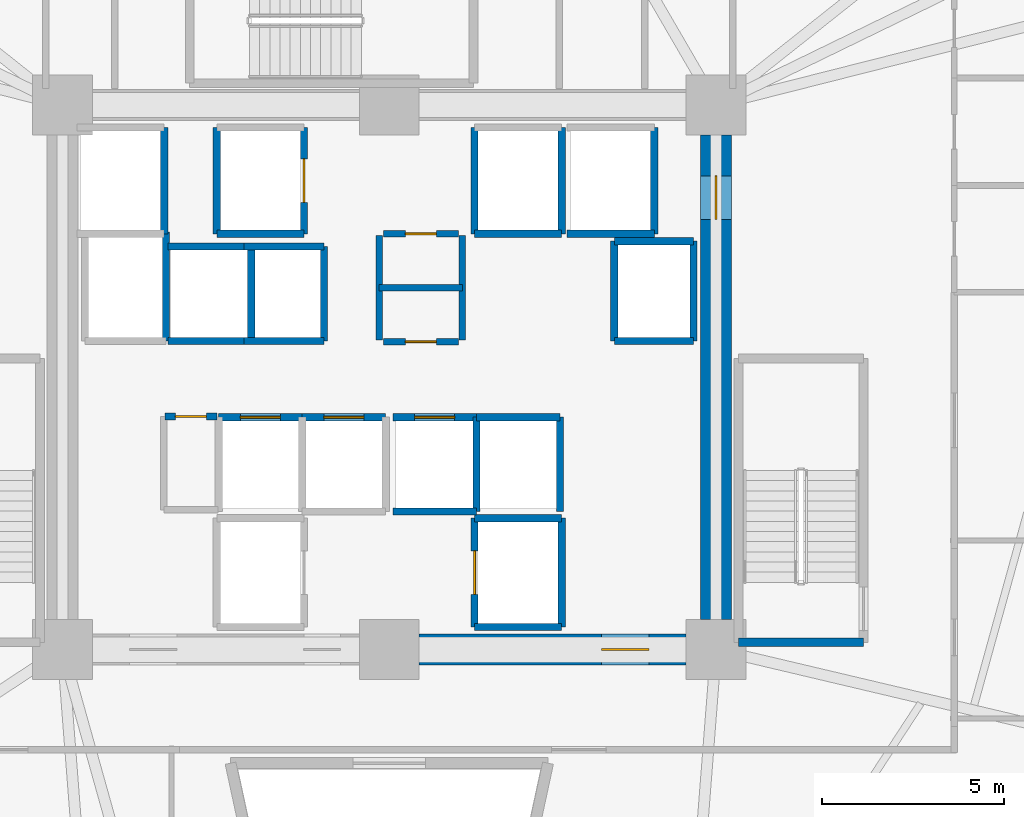
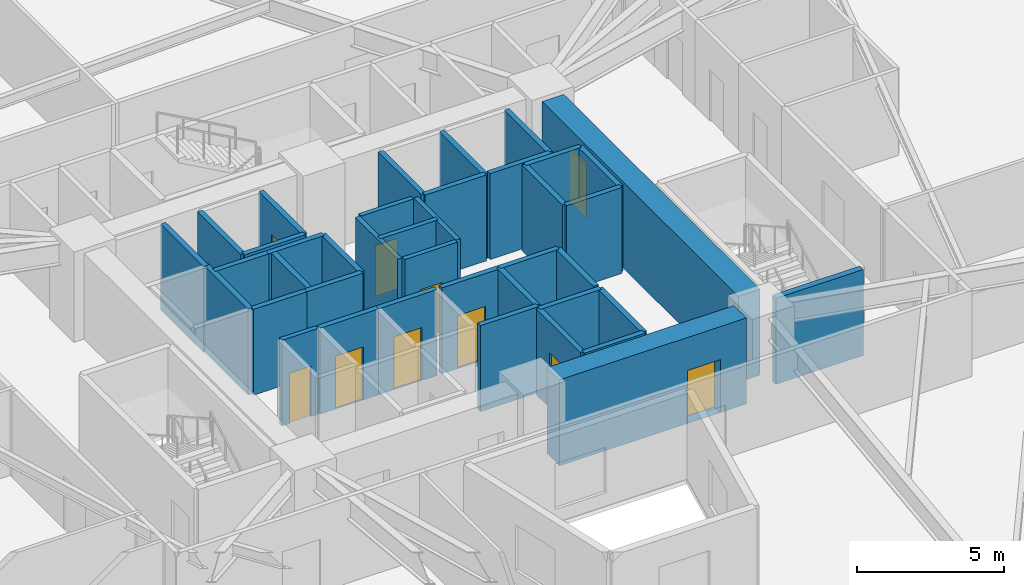
# One storey, part 5 of 8: 40 walls, 10 doors, 10 openings.
"""IFC4 building model written with IfcOpenShell, lengths in metres."""

from ifc_helpers import new_model, si_unit, direction, frame, frame_2d, origin, place, context, subcontext, project, spatial, rectangle, extrude, source, transform, mapped, material, layer, layer_set, type_object, element, fill, save


model = new_model("IFC4")

# Units and contexts
model_context = context("Model", 3, precision=1e-05, world=origin(), true_north=direction((0.0, 1.0)))
body_context = subcontext(model_context, "Body", "Model", "MODEL_VIEW")
ifc_project = project(units=[si_unit("LENGTHUNIT", "METRE"), si_unit("AREAUNIT", "SQUARE_METRE"), si_unit("VOLUMEUNIT", "CUBIC_METRE"), si_unit("PLANEANGLEUNIT", "RADIAN"), si_unit("MASSUNIT", "GRAM", prefix="KILO")], contexts=[model_context])

# Site, building, storey
site_placement = place(None, origin())
site = spatial("IfcSite", under=ifc_project, at=site_placement, CompositionType="ELEMENT")
building_placement = place(site_placement, origin())
building = spatial("IfcBuilding", under=site, at=building_placement, Name="Liaohun Quay Tower", CompositionType="ELEMENT")
storey_placement = place(building_placement, frame((0.0, 0.0, 39.75)))
storey = spatial("IfcBuildingStorey", under=building, at=storey_placement, Name="L10", CompositionType="ELEMENT", Elevation=39.75)

# Wall, opening, door
ifc_material_1 = material(Name="Concrete C60", Category="concrete")
ifc_layer_1 = layer(ifc_material_1, 0.85009765625, Name="Concrete C60", Category="concrete")
ifc_layer_set_1 = layer_set([ifc_layer_1], Name="Concrete C60")
wall_type_1 = type_object("IfcWallType", Name="WAL-COR-Z1", PredefinedType="SHEAR", material=ifc_layer_set_1)
wall_1_placement = place(storey_placement, frame((69.0, 60.675048828125, 0.0), z_axis=(0.0, 0.0, 1.0), x_axis=(0.0, -1.0, 0.0)))
wall_1 = element("IfcWall", 1, at=wall_1_placement, inside=storey, type_object=wall_type_1, Name="L10 Central Core Shear Wall E", PredefinedType="SHEAR", context=body_context, shape_type="SweptSolid", body=[
    extrude(rectangle(XDim=13.35009765625, YDim=0.85009765625, at=frame_2d((6.675048828125, 0.0))), origin(), (0.0, 0.0, 1.0), 3.570068359375),
])
shared_shape_1 = source(origin(), body_context, "Body", "SweptSolid", [
    extrude(rectangle(XDim=1.199951171875, YDim=2.199951171875, at=frame_2d((0.60009765625, 1.10009765625))), frame((0.0, 0.43505859375, 0.0), z_axis=(0.0, -1.0, 0.0), x_axis=(1.0, 0.0, 0.0)), (0.0, 0.0, 1.0), 0.8701171875),
])
opening_1_placement = place(wall_1_placement, frame((1.125, 0.0, 0.0)))
opening_1 = element("IfcOpeningElement", 2, at=opening_1_placement, cuts=wall_1, Name="Opening SD1", PredefinedType="OPENING", context=body_context, shape_type="MappedRepresentation", body=[
    mapped(shared_shape_1, transform((0.0, 0.0, 0.0), x_axis=(1.0, 0.0, 0.0), y_axis=(0.0, 1.0, 0.0), z_axis=(0.0, 0.0, 1.0), scale=1.0)),
])
ifc_material_2 = material(Name="Galvanised steel fire door", Category="steel")
door_type_1 = type_object("IfcDoorType", Name="DOR-STR-1200", OperationType="NOTDEFINED", PredefinedType="DOOR", material=ifc_material_2)
shared_shape_2 = source(origin(), body_context, "Body", "SweptSolid", [
    extrude(rectangle(XDim=1.199951171875, YDim=2.199951171875, at=frame_2d((0.60009765625, 1.10009765625))), frame((0.0, 0.02490234375, 0.0), z_axis=(0.0, -1.0, 0.0), x_axis=(1.0, 0.0, 0.0)), (0.0, 0.0, 1.0), 0.050048828125),
])
door_1_placement = place(opening_1_placement, origin())
door_1 = element("IfcDoor", 3, at=door_1_placement, inside=storey, type_object=door_type_1, Name="L10 North-East Core Lobby Smokeproof Door", OperationType="SINGLE_SWING_LEFT", OverallHeight=2.199951171875, OverallWidth=1.199951171875, PredefinedType="DOOR", context=body_context, shape_type="MappedRepresentation", body=[
    mapped(shared_shape_2, transform((0.0, 0.0, 0.0), x_axis=(1.0, 0.0, 0.0), y_axis=(0.0, 1.0, 0.0), z_axis=(0.0, 0.0, 1.0), scale=1.0)),
])
fill(opening_1, door_1)

wall_2_placement = place(storey_placement, frame((68.175048828125, 46.5, 0.0), z_axis=(0.0, 0.0, 1.0), x_axis=(-1.0, 0.0, 0.0)))
wall_2 = element("IfcWall", 4, at=wall_2_placement, inside=storey, type_object=wall_type_1, Name="L10 Central Core Shear Wall S-E", PredefinedType="SHEAR", context=body_context, shape_type="SweptSolid", body=[
    extrude(rectangle(XDim=7.35009765625, YDim=0.85009765625, at=frame_2d((3.675048828125, 0.0))), origin(), (0.0, 0.0, 1.0), 3.570068359375),
])
shared_shape_3 = source(origin(), body_context, "Body", "SweptSolid", [
    extrude(rectangle(XDim=1.300048828125, YDim=2.199951171875, at=frame_2d((0.64990234375, 1.10009765625))), frame((0.0, 0.43505859375, 0.0), z_axis=(0.0, -1.0, 0.0), x_axis=(1.0, 0.0, 0.0)), (0.0, 0.0, 1.0), 0.8701171875),
])
opening_2_placement = place(wall_2_placement, frame((1.02490234375, 0.0, 0.0)))
opening_2 = element("IfcOpeningElement", 5, at=opening_2_placement, cuts=wall_2, Name="Opening FD1", PredefinedType="OPENING", context=body_context, shape_type="MappedRepresentation", body=[
    mapped(shared_shape_3, transform((0.0, 0.0, 0.0), x_axis=(1.0, 0.0, 0.0), y_axis=(0.0, 1.0, 0.0), z_axis=(0.0, 0.0, 1.0), scale=1.0)),
])
ifc_material_3 = material(Name="Galvanised steel smokeproof fire door", Category="steel")
door_type_2 = type_object("IfcDoorType", Name="DOR-FFL-1300", OperationType="NOTDEFINED", PredefinedType="DOOR", material=ifc_material_3)
shared_shape_4 = source(origin(), body_context, "Body", "SweptSolid", [
    extrude(rectangle(XDim=1.300048828125, YDim=2.199951171875, at=frame_2d((0.64990234375, 1.10009765625))), frame((0.0, 0.02490234375, 0.0), z_axis=(0.0, -1.0, 0.0), x_axis=(1.0, 0.0, 0.0)), (0.0, 0.0, 1.0), 0.050048828125),
])
door_2_placement = place(opening_2_placement, origin())
door_2 = element("IfcDoor", 6, at=door_2_placement, inside=storey, type_object=door_type_2, Name="L10 East Core Lift Lobby Smokeproof Door", OperationType="SINGLE_SWING_LEFT", OverallHeight=2.199951171875, OverallWidth=1.300048828125, PredefinedType="DOOR", context=body_context, shape_type="MappedRepresentation", body=[
    mapped(shared_shape_4, transform((0.0, 0.0, 0.0), x_axis=(1.0, 0.0, 0.0), y_axis=(0.0, 1.0, 0.0), z_axis=(0.0, 0.0, 1.0), scale=1.0)),
])
fill(opening_2, door_2)

ifc_material_4 = material(Name="Autoclaved aerated concrete blockwork", Category="masonry")
ifc_layer_2 = layer(ifc_material_4, 0.179931640625, Name="Autoclaved aerated concrete blockwork", Category="masonry")
ifc_layer_set_2 = layer_set([ifc_layer_2], Name="Autoclaved aerated concrete blockwork")
wall_type_2 = type_object("IfcWallType", Name="WAL-PRT-COR", PredefinedType="PARTITIONING", material=ifc_layer_set_2)
wall_3_placement = place(storey_placement, frame((59.840087890625, 54.97998046875, 0.0), z_axis=(0.0, 0.0, 1.0), x_axis=(1.0, 0.0, 0.0)))
wall_3 = element("IfcWall", 7, at=wall_3_placement, inside=storey, type_object=wall_type_2, Name="L10 Interior Partition Wall 001", PredefinedType="PARTITIONING", context=body_context, shape_type="SweptSolid", body=[
    extrude(rectangle(XDim=2.059814453125, YDim=0.179931640625, at=frame_2d((1.02978515625, 0.0))), origin(), (0.0, 0.0, 1.0), 3.570068359375),
])
shared_shape_5 = source(origin(), body_context, "Body", "SweptSolid", [
    extrude(rectangle(XDim=0.85009765625, YDim=2.10009765625, at=frame_2d((0.425048828125, 1.050048828125))), frame((0.0, 0.099853515625, 0.0), z_axis=(0.0, -1.0, 0.0), x_axis=(1.0, 0.0, 0.0)), (0.0, 0.0, 1.0), 0.199951171875),
])
opening_3_placement = place(wall_3_placement, frame((0.60498046875, 0.0, 0.0)))
opening_3 = element("IfcOpeningElement", 8, at=opening_3_placement, cuts=wall_3, Name="Opening AD1", PredefinedType="OPENING", context=body_context, shape_type="MappedRepresentation", body=[
    mapped(shared_shape_5, transform((0.0, 0.0, 0.0), x_axis=(1.0, 0.0, 0.0), y_axis=(0.0, 1.0, 0.0), z_axis=(0.0, 0.0, 1.0), scale=1.0)),
])
ifc_material_5 = material(Name="Steel riser inspection fire door", Category="steel")
door_type_3 = type_object("IfcDoorType", Name="DOR-SHF-850", OperationType="NOTDEFINED", PredefinedType="DOOR", material=ifc_material_5)
shared_shape_6 = source(origin(), body_context, "Body", "SweptSolid", [
    extrude(rectangle(XDim=0.85009765625, YDim=2.10009765625, at=frame_2d((0.425048828125, 1.050048828125))), frame((0.0, 0.02490234375, 0.0), z_axis=(0.0, -1.0, 0.0), x_axis=(1.0, 0.0, 0.0)), (0.0, 0.0, 1.0), 0.050048828125),
])
door_3_placement = place(opening_3_placement, origin())
door_3 = element("IfcDoor", 9, at=door_3_placement, inside=storey, type_object=door_type_3, Name="L10 Electrical Riser Room Door", OperationType="SINGLE_SWING_RIGHT", OverallHeight=2.10009765625, OverallWidth=0.85009765625, PredefinedType="DOOR", context=body_context, shape_type="MappedRepresentation", body=[
    mapped(shared_shape_6, transform((0.0, 0.0, 0.0), x_axis=(1.0, 0.0, 0.0), y_axis=(0.0, 1.0, 0.0), z_axis=(0.0, 0.0, 1.0), scale=1.0)),
])
fill(opening_3, door_3)

wall_4_placement = place(storey_placement, frame((59.840087890625, 57.949951171875, 0.0), z_axis=(0.0, 0.0, 1.0), x_axis=(1.0, 0.0, 0.0)))
wall_4 = element("IfcWall", 10, at=wall_4_placement, inside=storey, type_object=wall_type_2, Name="L10 Interior Partition Wall 002", PredefinedType="PARTITIONING", context=body_context, shape_type="SweptSolid", body=[
    extrude(rectangle(XDim=2.059814453125, YDim=0.179931640625, at=frame_2d((1.02978515625, 0.0))), origin(), (0.0, 0.0, 1.0), 3.570068359375),
])
opening_4_placement = place(wall_4_placement, frame((0.60498046875, 0.0, 0.0)))
opening_4 = element("IfcOpeningElement", 11, at=opening_4_placement, cuts=wall_4, Name="Opening AD1", PredefinedType="OPENING", context=body_context, shape_type="MappedRepresentation", body=[
    mapped(shared_shape_5, transform((0.0, 0.0, 0.0), x_axis=(1.0, 0.0, 0.0), y_axis=(0.0, 1.0, 0.0), z_axis=(0.0, 0.0, 1.0), scale=1.0)),
])
door_4_placement = place(opening_4_placement, origin())
door_4 = element("IfcDoor", 12, at=door_4_placement, inside=storey, type_object=door_type_3, Name="L10 Telecom Comms Closet Door", OperationType="SINGLE_SWING_LEFT", OverallHeight=2.10009765625, OverallWidth=0.85009765625, PredefinedType="DOOR", context=body_context, shape_type="MappedRepresentation", body=[
    mapped(shared_shape_6, transform((0.0, 0.0, 0.0), x_axis=(1.0, 0.0, 0.0), y_axis=(0.0, 1.0, 0.0), z_axis=(0.0, 0.0, 1.0), scale=1.0)),
])
fill(opening_4, door_4)

wall_5_placement = place(storey_placement, frame((53.820068359375, 52.919921875, 0.0), z_axis=(0.0, 0.0, 1.0), x_axis=(1.0, 0.0, 0.0)))
wall_5 = element("IfcWall", 13, at=wall_5_placement, inside=storey, type_object=wall_type_2, Name="L10 Interior Partition Wall 003", PredefinedType="PARTITIONING", context=body_context, shape_type="SweptSolid", body=[
    extrude(rectangle(XDim=1.429931640625, YDim=0.179931640625, at=frame_2d((0.71484375, 0.0))), origin(), (0.0, 0.0, 1.0), 3.570068359375),
])
opening_5_placement = place(wall_5_placement, frame((0.2900390625, 0.0, 0.0)))
opening_5 = element("IfcOpeningElement", 14, at=opening_5_placement, cuts=wall_5, Name="Opening AD1", PredefinedType="OPENING", context=body_context, shape_type="MappedRepresentation", body=[
    mapped(shared_shape_5, transform((0.0, 0.0, 0.0), x_axis=(1.0, 0.0, 0.0), y_axis=(0.0, 1.0, 0.0), z_axis=(0.0, 0.0, 1.0), scale=1.0)),
])
door_5_placement = place(opening_5_placement, origin())
door_5 = element("IfcDoor", 15, at=door_5_placement, inside=storey, type_object=door_type_3, Name="L10 Core Fire Hose and Riser Closet Door", OperationType="SINGLE_SWING_RIGHT", OverallHeight=2.10009765625, OverallWidth=0.85009765625, PredefinedType="DOOR", context=body_context, shape_type="MappedRepresentation", body=[
    mapped(shared_shape_6, transform((0.0, 0.0, 0.0), x_axis=(1.0, 0.0, 0.0), y_axis=(0.0, 1.0, 0.0), z_axis=(0.0, 0.0, 1.0), scale=1.0)),
])
fill(opening_5, door_5)

# Walls
for number, where, z_axis, x_axis, name in (
    (16, (59.719970703125, 55.02001953125, 0.0), (0.0, 0.0, 1.0), (0.0, 1.0, 0.0), "L10 Interior Partition Wall 023"),
    (17, (62.010009765625, 55.02001953125, 0.0), (0.0, 0.0, 1.0), (0.0, 1.0, 0.0), "L10 Interior Partition Wall 024"),
):
    element("IfcWall", number, at=place(storey_placement, frame(where, z_axis=z_axis, x_axis=x_axis)), inside=storey, type_object=wall_type_2, Name=name, PredefinedType="PARTITIONING", context=body_context, shape_type="SweptSolid", body=[
        extrude(rectangle(XDim=2.8798828125, YDim=0.179931640625, at=frame_2d((1.43994140625, 0.0))), origin(), (0.0, 0.0, 1.0), 3.570068359375),
    ])
wall_6_placement = place(storey_placement, frame((59.719970703125, 56.4599609375, 0.0), z_axis=(0.0, 0.0, 1.0), x_axis=(1.0, 0.0, 0.0)))
element("IfcWall", 18, at=wall_6_placement, inside=storey, type_object=wall_type_2, Name="L10 Interior Partition Wall 025", PredefinedType="PARTITIONING", context=body_context, shape_type="SweptSolid", body=[
    extrude(rectangle(XDim=2.2900390625, YDim=0.179931640625, at=frame_2d((1.14501953125, 0.0))), origin(), (0.0, 0.0, 1.0), 3.570068359375),
])
ifc_material_6 = material(Name="Concrete C50", Category="concrete")
ifc_layer_3 = layer(ifc_material_6, 0.239990234375, Name="Concrete C50", Category="concrete")
ifc_layer_set_3 = layer_set([ifc_layer_3], Name="Concrete C50")
wall_type_3 = type_object("IfcWallType", Name="WAL-SHF-200", PredefinedType="SOLIDWALL", material=ifc_layer_set_3)
wall_7_placement = place(storey_placement, frame((69.6201171875, 46.699951171875, 0.0), z_axis=(0.0, 0.0, 1.0), x_axis=(1.0, 0.0, 0.0)))
element("IfcWall", 19, at=wall_7_placement, inside=storey, type_object=wall_type_3, Name="L10 Stairwell ST-2 Structural Core Wall S", PredefinedType="SOLIDWALL", context=body_context, shape_type="SweptSolid", body=[
    extrude(rectangle(XDim=3.43994140625, YDim=0.239990234375, at=frame_2d((1.719970703125, 0.0))), origin(), (0.0, 0.0, 1.0), 3.570068359375),
])
wall_8_placement = place(storey_placement, frame((62.35009765625, 47.1201171875, 0.0), z_axis=(0.0, 0.0, 1.0), x_axis=(1.0, 0.0, 0.0)))
element("IfcWall", 20, at=wall_8_placement, inside=storey, type_object=wall_type_3, Name="L10 Lift FF-02 Hoistway Wall S", PredefinedType="SOLIDWALL", context=body_context, shape_type="SweptSolid", body=[
    extrude(rectangle(XDim=2.39990234375, YDim=0.199951171875, at=frame_2d((1.199951171875, 0.0))), origin(), (0.0, 0.0, 1.0), 3.570068359375),
])
wall_9_placement = place(storey_placement, frame((64.75, 47.1201171875, 0.0), z_axis=(0.0, 0.0, 1.0), x_axis=(0.0, 1.0, 0.0)))
element("IfcWall", 21, at=wall_9_placement, inside=storey, type_object=wall_type_3, Name="L10 Lift FF-02 Hoistway Wall E", PredefinedType="SOLIDWALL", context=body_context, shape_type="SweptSolid", body=[
    extrude(rectangle(XDim=3.0, YDim=0.199951171875, at=frame_2d((1.5, 0.0))), origin(), (0.0, 0.0, 1.0), 3.570068359375),
])
wall_10_placement = place(storey_placement, frame((64.75, 50.1201171875, 0.0), z_axis=(0.0, 0.0, 1.0), x_axis=(-1.0, 0.0, 0.0)))
element("IfcWall", 22, at=wall_10_placement, inside=storey, type_object=wall_type_3, Name="L10 Lift FF-02 Hoistway Wall N", PredefinedType="SOLIDWALL", context=body_context, shape_type="SweptSolid", body=[
    extrude(rectangle(XDim=2.39990234375, YDim=0.199951171875, at=frame_2d((1.199951171875, 0.0))), origin(), (0.0, 0.0, 1.0), 3.570068359375),
])

# Wall, opening, door
wall_11_placement = place(storey_placement, frame((62.35009765625, 50.1201171875, 0.0), z_axis=(0.0, 0.0, 1.0), x_axis=(0.0, -1.0, 0.0)))
wall_11 = element("IfcWall", 23, at=wall_11_placement, inside=storey, type_object=wall_type_3, Name="L10 Lift FF-02 Hoistway Wall W", PredefinedType="SOLIDWALL", context=body_context, shape_type="SweptSolid", body=[
    extrude(rectangle(XDim=3.0, YDim=0.199951171875, at=frame_2d((1.5, 0.0))), origin(), (0.0, 0.0, 1.0), 3.570068359375),
])
shared_shape_7 = source(origin(), body_context, "Body", "SweptSolid", [
    extrude(rectangle(XDim=1.199951171875, YDim=2.300048828125, at=frame_2d((0.60009765625, 1.14990234375))), frame((0.0, 0.10986328125, 0.0), z_axis=(0.0, -1.0, 0.0), x_axis=(1.0, 0.0, 0.0)), (0.0, 0.0, 1.0), 0.219970703125),
])
opening_6_placement = place(wall_11_placement, frame((0.89990234375, 0.0, 0.0)))
opening_6 = element("IfcOpeningElement", 24, at=opening_6_placement, cuts=wall_11, Name="Opening LD2", PredefinedType="OPENING", context=body_context, shape_type="MappedRepresentation", body=[
    mapped(shared_shape_7, transform((0.0, 0.0, 0.0), x_axis=(1.0, 0.0, 0.0), y_axis=(0.0, 1.0, 0.0), z_axis=(0.0, 0.0, 1.0), scale=1.0)),
])
ifc_material_7 = material(Name="Brushed stainless steel stretcher landing door", Category="steel")
door_type_4 = type_object("IfcDoorType", Name="DOR-LFT-1200", OperationType="SLIDING_TO_LEFT", PredefinedType="DOOR", material=ifc_material_7)
shared_shape_8 = source(origin(), body_context, "Body", "SweptSolid", [
    extrude(rectangle(XDim=1.199951171875, YDim=2.300048828125, at=frame_2d((0.60009765625, 1.14990234375))), frame((0.0, 0.02490234375, 0.0), z_axis=(0.0, -1.0, 0.0), x_axis=(1.0, 0.0, 0.0)), (0.0, 0.0, 1.0), 0.050048828125),
])
door_6_placement = place(opening_6_placement, origin())
door_6 = element("IfcDoor", 25, at=door_6_placement, inside=storey, type_object=door_type_4, Name="L10 Lift FF-02 Sliding Landing Door", OperationType="SLIDING_TO_LEFT", OverallHeight=2.300048828125, OverallWidth=1.199951171875, PredefinedType="DOOR", context=body_context, shape_type="MappedRepresentation", body=[
    mapped(shared_shape_8, transform((0.0, 0.0, 0.0), x_axis=(1.0, 0.0, 0.0), y_axis=(0.0, 1.0, 0.0), z_axis=(0.0, 0.0, 1.0), scale=1.0)),
])
fill(opening_6, door_6)

# Wall
wall_12_placement = place(storey_placement, frame((55.25, 57.949951171875, 0.0), z_axis=(0.0, 0.0, 1.0), x_axis=(1.0, 0.0, 0.0)))
element("IfcWall", 26, at=wall_12_placement, inside=storey, type_object=wall_type_3, Name="L10 Lift FF-03 Hoistway Wall S", PredefinedType="SOLIDWALL", context=body_context, shape_type="SweptSolid", body=[
    extrude(rectangle(XDim=2.39990234375, YDim=0.199951171875, at=frame_2d((1.199951171875, 0.0))), origin(), (0.0, 0.0, 1.0), 3.570068359375),
])

# Wall, opening, door
wall_13_placement = place(storey_placement, frame((57.64990234375, 57.949951171875, 0.0), z_axis=(0.0, 0.0, 1.0), x_axis=(0.0, 1.0, 0.0)))
wall_13 = element("IfcWall", 27, at=wall_13_placement, inside=storey, type_object=wall_type_3, Name="L10 Lift FF-03 Hoistway Wall E", PredefinedType="SOLIDWALL", context=body_context, shape_type="SweptSolid", body=[
    extrude(rectangle(XDim=2.929931640625, YDim=0.199951171875, at=frame_2d((1.46484375, 0.0))), origin(), (0.0, 0.0, 1.0), 3.570068359375),
])
opening_7_placement = place(wall_13_placement, frame((0.864990234375, 0.0, 0.0)))
opening_7 = element("IfcOpeningElement", 28, at=opening_7_placement, cuts=wall_13, Name="Opening LD2", PredefinedType="OPENING", context=body_context, shape_type="MappedRepresentation", body=[
    mapped(shared_shape_7, transform((0.0, 0.0, 0.0), x_axis=(1.0, 0.0, 0.0), y_axis=(0.0, 1.0, 0.0), z_axis=(0.0, 0.0, 1.0), scale=1.0)),
])
door_7_placement = place(opening_7_placement, origin())
door_7 = element("IfcDoor", 29, at=door_7_placement, inside=storey, type_object=door_type_4, Name="L10 Lift FF-03 Sliding Landing Door", OperationType="SLIDING_TO_LEFT", OverallHeight=2.300048828125, OverallWidth=1.199951171875, PredefinedType="DOOR", context=body_context, shape_type="MappedRepresentation", body=[
    mapped(shared_shape_8, transform((0.0, 0.0, 0.0), x_axis=(1.0, 0.0, 0.0), y_axis=(0.0, 1.0, 0.0), z_axis=(0.0, 0.0, 1.0), scale=1.0)),
])
fill(opening_7, door_7)

# Walls
wall_14_placement = place(storey_placement, frame((55.25, 60.8798828125, 0.0), z_axis=(0.0, 0.0, 1.0), x_axis=(0.0, -1.0, 0.0)))
element("IfcWall", 30, at=wall_14_placement, inside=storey, type_object=wall_type_3, Name="L10 Lift FF-03 Hoistway Wall W", PredefinedType="SOLIDWALL", context=body_context, shape_type="SweptSolid", body=[
    extrude(rectangle(XDim=2.929931640625, YDim=0.199951171875, at=frame_2d((1.46484375, 0.0))), origin(), (0.0, 0.0, 1.0), 3.570068359375),
])
wall_15_placement = place(storey_placement, frame((62.35009765625, 57.949951171875, 0.0), z_axis=(0.0, 0.0, 1.0), x_axis=(1.0, 0.0, 0.0)))
element("IfcWall", 31, at=wall_15_placement, inside=storey, type_object=wall_type_3, Name="L10 Lift OB-01 Hoistway Wall S", PredefinedType="SOLIDWALL", context=body_context, shape_type="SweptSolid", body=[
    extrude(rectangle(XDim=2.39990234375, YDim=0.199951171875, at=frame_2d((1.199951171875, 0.0))), origin(), (0.0, 0.0, 1.0), 3.570068359375),
])
for number, where, z_axis, x_axis, name in (
    (32, (64.75, 57.949951171875, 0.0), (0.0, 0.0, 1.0), (0.0, 1.0, 0.0), "L10 Lift OB-01 Hoistway Wall E"),
    (33, (62.35009765625, 60.8798828125, 0.0), (0.0, 0.0, 1.0), (0.0, -1.0, 0.0), "L10 Lift OB-01 Hoistway Wall W"),
):
    element("IfcWall", number, at=place(storey_placement, frame(where, z_axis=z_axis, x_axis=x_axis)), inside=storey, type_object=wall_type_3, Name=name, PredefinedType="SOLIDWALL", context=body_context, shape_type="SweptSolid", body=[
        extrude(rectangle(XDim=2.929931640625, YDim=0.199951171875, at=frame_2d((1.46484375, 0.0))), origin(), (0.0, 0.0, 1.0), 3.570068359375),
    ])
wall_16_placement = place(storey_placement, frame((64.89990234375, 57.949951171875, 0.0), z_axis=(0.0, 0.0, 1.0), x_axis=(1.0, 0.0, 0.0)))
element("IfcWall", 34, at=wall_16_placement, inside=storey, type_object=wall_type_3, Name="L10 Lift OB-02 Hoistway Wall S", PredefinedType="SOLIDWALL", context=body_context, shape_type="SweptSolid", body=[
    extrude(rectangle(XDim=2.400146484375, YDim=0.199951171875, at=frame_2d((1.2001953125, 0.0))), origin(), (0.0, 0.0, 1.0), 3.570068359375),
])
for number, where, z_axis, x_axis, name in (
    (35, (67.300048828125, 57.949951171875, 0.0), (0.0, 0.0, 1.0), (0.0, 1.0, 0.0), "L10 Lift OB-02 Hoistway Wall E"),
    (36, (53.800048828125, 57.949951171875, 0.0), (0.0, 0.0, 1.0), (0.0, 1.0, 0.0), "L10 Lift SH-01 Hoistway Wall E"),
):
    element("IfcWall", number, at=place(storey_placement, frame(where, z_axis=z_axis, x_axis=x_axis)), inside=storey, type_object=wall_type_3, Name=name, PredefinedType="SOLIDWALL", context=body_context, shape_type="SweptSolid", body=[
        extrude(rectangle(XDim=2.929931640625, YDim=0.199951171875, at=frame_2d((1.46484375, 0.0))), origin(), (0.0, 0.0, 1.0), 3.570068359375),
    ])
wall_17_placement = place(storey_placement, frame((53.85009765625, 55.0, 0.0), z_axis=(0.0, 0.0, 1.0), x_axis=(0.0, 1.0, 0.0)))
element("IfcWall", 37, at=wall_17_placement, inside=storey, type_object=wall_type_3, Name="L10 Lift SH-02 Hoistway Wall E", PredefinedType="SOLIDWALL", context=body_context, shape_type="SweptSolid", body=[
    extrude(rectangle(XDim=3.0, YDim=0.199951171875, at=frame_2d((1.5, 0.0))), origin(), (0.0, 0.0, 1.0), 3.570068359375),
])
wall_18_placement = place(storey_placement, frame((66.199951171875, 55.0, 0.0), z_axis=(0.0, 0.0, 1.0), x_axis=(1.0, 0.0, 0.0)))
element("IfcWall", 38, at=wall_18_placement, inside=storey, type_object=wall_type_3, Name="L10 Lift SH-03 Hoistway Wall S", PredefinedType="SOLIDWALL", context=body_context, shape_type="SweptSolid", body=[
    extrude(rectangle(XDim=2.179931640625, YDim=0.199951171875, at=frame_2d((1.08984375, 0.0))), origin(), (0.0, 0.0, 1.0), 3.570068359375),
])
wall_19_placement = place(storey_placement, frame((68.3798828125, 55.0, 0.0), z_axis=(0.0, 0.0, 1.0), x_axis=(0.0, 1.0, 0.0)))
element("IfcWall", 39, at=wall_19_placement, inside=storey, type_object=wall_type_3, Name="L10 Lift SH-03 Hoistway Wall E", PredefinedType="SOLIDWALL", context=body_context, shape_type="SweptSolid", body=[
    extrude(rectangle(XDim=2.75, YDim=0.199951171875, at=frame_2d((1.375, 0.0))), origin(), (0.0, 0.0, 1.0), 3.570068359375),
])
wall_20_placement = place(storey_placement, frame((68.3798828125, 57.75, 0.0), z_axis=(0.0, 0.0, 1.0), x_axis=(-1.0, 0.0, 0.0)))
element("IfcWall", 40, at=wall_20_placement, inside=storey, type_object=wall_type_3, Name="L10 Lift SH-03 Hoistway Wall N", PredefinedType="SOLIDWALL", context=body_context, shape_type="SweptSolid", body=[
    extrude(rectangle(XDim=2.179931640625, YDim=0.199951171875, at=frame_2d((1.08984375, 0.0))), origin(), (0.0, 0.0, 1.0), 3.570068359375),
])
wall_21_placement = place(storey_placement, frame((66.199951171875, 57.75, 0.0), z_axis=(0.0, 0.0, 1.0), x_axis=(0.0, -1.0, 0.0)))
element("IfcWall", 41, at=wall_21_placement, inside=storey, type_object=wall_type_3, Name="L10 Lift SH-03 Hoistway Wall W", PredefinedType="SOLIDWALL", context=body_context, shape_type="SweptSolid", body=[
    extrude(rectangle(XDim=2.75, YDim=0.199951171875, at=frame_2d((1.375, 0.0))), origin(), (0.0, 0.0, 1.0), 3.570068359375),
])

# Wall, opening, door
wall_22_placement = place(storey_placement, frame((57.60009765625, 52.89990234375, 0.0), z_axis=(0.0, 0.0, 1.0), x_axis=(-1.0, 0.0, 0.0)))
wall_22 = element("IfcWall", 42, at=wall_22_placement, inside=storey, type_object=wall_type_3, Name="L10 Lift PL-1A Hoistway Wall N", PredefinedType="SOLIDWALL", context=body_context, shape_type="SweptSolid", body=[
    extrude(rectangle(XDim=2.300048828125, YDim=0.199951171875, at=frame_2d((1.14990234375, 0.0))), origin(), (0.0, 0.0, 1.0), 3.570068359375),
])
shared_shape_9 = source(origin(), body_context, "Body", "SweptSolid", [
    extrude(rectangle(XDim=1.10009765625, YDim=2.199951171875, at=frame_2d((0.550048828125, 1.10009765625))), frame((0.0, 0.10986328125, 0.0), z_axis=(0.0, -1.0, 0.0), x_axis=(1.0, 0.0, 0.0)), (0.0, 0.0, 1.0), 0.219970703125),
])
opening_8_placement = place(wall_22_placement, frame((0.60009765625, 0.0, 0.0)))
opening_8 = element("IfcOpeningElement", 43, at=opening_8_placement, cuts=wall_22, Name="Opening LD1", PredefinedType="OPENING", context=body_context, shape_type="MappedRepresentation", body=[
    mapped(shared_shape_9, transform((0.0, 0.0, 0.0), x_axis=(1.0, 0.0, 0.0), y_axis=(0.0, 1.0, 0.0), z_axis=(0.0, 0.0, 1.0), scale=1.0)),
])
ifc_material_8 = material(Name="Brushed stainless steel landing door", Category="steel")
door_type_5 = type_object("IfcDoorType", Name="DOR-LFT-1100", OperationType="SLIDING_TO_LEFT", PredefinedType="DOOR", material=ifc_material_8)
shared_shape_10 = source(origin(), body_context, "Body", "SweptSolid", [
    extrude(rectangle(XDim=1.10009765625, YDim=2.199951171875, at=frame_2d((0.550048828125, 1.10009765625))), frame((0.0, 0.02490234375, 0.0), z_axis=(0.0, -1.0, 0.0), x_axis=(1.0, 0.0, 0.0)), (0.0, 0.0, 1.0), 0.050048828125),
])
door_8_placement = place(opening_8_placement, origin())
door_8 = element("IfcDoor", 44, at=door_8_placement, inside=storey, type_object=door_type_5, Name="L10 Lift PL-1A Sliding Landing Door", OperationType="SLIDING_TO_LEFT", OverallHeight=2.199951171875, OverallWidth=1.10009765625, PredefinedType="DOOR", context=body_context, shape_type="MappedRepresentation", body=[
    mapped(shared_shape_10, transform((0.0, 0.0, 0.0), x_axis=(1.0, 0.0, 0.0), y_axis=(0.0, 1.0, 0.0), z_axis=(0.0, 0.0, 1.0), scale=1.0)),
])
fill(opening_8, door_8)

wall_23_placement = place(storey_placement, frame((59.89990234375, 52.89990234375, 0.0), z_axis=(0.0, 0.0, 1.0), x_axis=(-1.0, 0.0, 0.0)))
wall_23 = element("IfcWall", 45, at=wall_23_placement, inside=storey, type_object=wall_type_3, Name="L10 Lift PL-1B Hoistway Wall N", PredefinedType="SOLIDWALL", context=body_context, shape_type="SweptSolid", body=[
    extrude(rectangle(XDim=2.2998046875, YDim=0.199951171875, at=frame_2d((1.14990234375, 0.0))), origin(), (0.0, 0.0, 1.0), 3.570068359375),
])
opening_9_placement = place(wall_23_placement, frame((0.60009765625, 0.0, 0.0)))
opening_9 = element("IfcOpeningElement", 46, at=opening_9_placement, cuts=wall_23, Name="Opening LD1", PredefinedType="OPENING", context=body_context, shape_type="MappedRepresentation", body=[
    mapped(shared_shape_9, transform((0.0, 0.0, 0.0), x_axis=(1.0, 0.0, 0.0), y_axis=(0.0, 1.0, 0.0), z_axis=(0.0, 0.0, 1.0), scale=1.0)),
])
door_9_placement = place(opening_9_placement, origin())
door_9 = element("IfcDoor", 47, at=door_9_placement, inside=storey, type_object=door_type_5, Name="L10 Lift PL-1B Sliding Landing Door", OperationType="SLIDING_TO_LEFT", OverallHeight=2.199951171875, OverallWidth=1.10009765625, PredefinedType="DOOR", context=body_context, shape_type="MappedRepresentation", body=[
    mapped(shared_shape_10, transform((0.0, 0.0, 0.0), x_axis=(1.0, 0.0, 0.0), y_axis=(0.0, 1.0, 0.0), z_axis=(0.0, 0.0, 1.0), scale=1.0)),
])
fill(opening_9, door_9)

# Walls
wall_24_placement = place(storey_placement, frame((60.10009765625, 50.300048828125, 0.0), z_axis=(0.0, 0.0, 1.0), x_axis=(1.0, 0.0, 0.0)))
element("IfcWall", 48, at=wall_24_placement, inside=storey, type_object=wall_type_3, Name="L10 Lift PL-1C Hoistway Wall S", PredefinedType="SOLIDWALL", context=body_context, shape_type="SweptSolid", body=[
    extrude(rectangle(XDim=2.2998046875, YDim=0.199951171875, at=frame_2d((1.14990234375, 0.0))), origin(), (0.0, 0.0, 1.0), 3.570068359375),
])
wall_25_placement = place(storey_placement, frame((62.39990234375, 50.300048828125, 0.0), z_axis=(0.0, 0.0, 1.0), x_axis=(0.0, 1.0, 0.0)))
element("IfcWall", 49, at=wall_25_placement, inside=storey, type_object=wall_type_3, Name="L10 Lift PL-1C Hoistway Wall E", PredefinedType="SOLIDWALL", context=body_context, shape_type="SweptSolid", body=[
    extrude(rectangle(XDim=2.599853515625, YDim=0.199951171875, at=frame_2d((1.2998046875, 0.0))), origin(), (0.0, 0.0, 1.0), 3.570068359375),
])

# Wall, opening, door
wall_26_placement = place(storey_placement, frame((62.39990234375, 52.89990234375, 0.0), z_axis=(0.0, 0.0, 1.0), x_axis=(-1.0, 0.0, 0.0)))
wall_26 = element("IfcWall", 50, at=wall_26_placement, inside=storey, type_object=wall_type_3, Name="L10 Lift PL-1C Hoistway Wall N", PredefinedType="SOLIDWALL", context=body_context, shape_type="SweptSolid", body=[
    extrude(rectangle(XDim=2.2998046875, YDim=0.199951171875, at=frame_2d((1.14990234375, 0.0))), origin(), (0.0, 0.0, 1.0), 3.570068359375),
])
opening_10_placement = place(wall_26_placement, frame((0.60009765625, 0.0, 0.0)))
opening_10 = element("IfcOpeningElement", 51, at=opening_10_placement, cuts=wall_26, Name="Opening LD1", PredefinedType="OPENING", context=body_context, shape_type="MappedRepresentation", body=[
    mapped(shared_shape_9, transform((0.0, 0.0, 0.0), x_axis=(1.0, 0.0, 0.0), y_axis=(0.0, 1.0, 0.0), z_axis=(0.0, 0.0, 1.0), scale=1.0)),
])
door_10_placement = place(opening_10_placement, origin())
door_10 = element("IfcDoor", 52, at=door_10_placement, inside=storey, type_object=door_type_5, Name="L10 Lift PL-1C Sliding Landing Door", OperationType="SLIDING_TO_LEFT", OverallHeight=2.199951171875, OverallWidth=1.10009765625, PredefinedType="DOOR", context=body_context, shape_type="MappedRepresentation", body=[
    mapped(shared_shape_10, transform((0.0, 0.0, 0.0), x_axis=(1.0, 0.0, 0.0), y_axis=(0.0, 1.0, 0.0), z_axis=(0.0, 0.0, 1.0), scale=1.0)),
])
fill(opening_10, door_10)

# Walls
wall_27_placement = place(storey_placement, frame((64.699951171875, 50.300048828125, 0.0), z_axis=(0.0, 0.0, 1.0), x_axis=(0.0, 1.0, 0.0)))
element("IfcWall", 53, at=wall_27_placement, inside=storey, type_object=wall_type_3, Name="L10 Lift PL-2A Hoistway Wall E", PredefinedType="SOLIDWALL", context=body_context, shape_type="SweptSolid", body=[
    extrude(rectangle(XDim=2.599853515625, YDim=0.199951171875, at=frame_2d((1.2998046875, 0.0))), origin(), (0.0, 0.0, 1.0), 3.570068359375),
])
for number, where, z_axis, x_axis, name in (
    (54, (64.699951171875, 52.89990234375, 0.0), (0.0, 0.0, 1.0), (-1.0, 0.0, 0.0), "L10 Lift PL-2A Hoistway Wall N"),
    (55, (53.89990234375, 55.0, 0.0), (0.0, 0.0, 1.0), (1.0, 0.0, 0.0), "L10 Lift PL-2B Hoistway Wall S"),
):
    element("IfcWall", number, at=place(storey_placement, frame(where, z_axis=z_axis, x_axis=x_axis)), inside=storey, type_object=wall_type_3, Name=name, PredefinedType="SOLIDWALL", context=body_context, shape_type="SweptSolid", body=[
        extrude(rectangle(XDim=2.300048828125, YDim=0.199951171875, at=frame_2d((1.14990234375, 0.0))), origin(), (0.0, 0.0, 1.0), 3.570068359375),
    ])
wall_28_placement = place(storey_placement, frame((56.199951171875, 55.0, 0.0), z_axis=(0.0, 0.0, 1.0), x_axis=(0.0, 1.0, 0.0)))
element("IfcWall", 56, at=wall_28_placement, inside=storey, type_object=wall_type_3, Name="L10 Lift PL-2B Hoistway Wall E", PredefinedType="SOLIDWALL", context=body_context, shape_type="SweptSolid", body=[
    extrude(rectangle(XDim=2.60009765625, YDim=0.199951171875, at=frame_2d((1.300048828125, 0.0))), origin(), (0.0, 0.0, 1.0), 3.570068359375),
])
wall_29_placement = place(storey_placement, frame((56.199951171875, 57.60009765625, 0.0), z_axis=(0.0, 0.0, 1.0), x_axis=(-1.0, 0.0, 0.0)))
element("IfcWall", 57, at=wall_29_placement, inside=storey, type_object=wall_type_3, Name="L10 Lift PL-2B Hoistway Wall N", PredefinedType="SOLIDWALL", context=body_context, shape_type="SweptSolid", body=[
    extrude(rectangle(XDim=2.300048828125, YDim=0.199951171875, at=frame_2d((1.14990234375, 0.0))), origin(), (0.0, 0.0, 1.0), 3.570068359375),
])
wall_30_placement = place(storey_placement, frame((56.0, 55.0, 0.0), z_axis=(0.0, 0.0, 1.0), x_axis=(1.0, 0.0, 0.0)))
element("IfcWall", 58, at=wall_30_placement, inside=storey, type_object=wall_type_3, Name="L10 Lift PL-2C Hoistway Wall S", PredefinedType="SOLIDWALL", context=body_context, shape_type="SweptSolid", body=[
    extrude(rectangle(XDim=2.199951171875, YDim=0.199951171875, at=frame_2d((1.10009765625, 0.0))), origin(), (0.0, 0.0, 1.0), 3.570068359375),
])
wall_31_placement = place(storey_placement, frame((58.199951171875, 55.0, 0.0), z_axis=(0.0, 0.0, 1.0), x_axis=(0.0, 1.0, 0.0)))
element("IfcWall", 59, at=wall_31_placement, inside=storey, type_object=wall_type_3, Name="L10 Lift PL-2C Hoistway Wall E", PredefinedType="SOLIDWALL", context=body_context, shape_type="SweptSolid", body=[
    extrude(rectangle(XDim=2.60009765625, YDim=0.199951171875, at=frame_2d((1.300048828125, 0.0))), origin(), (0.0, 0.0, 1.0), 3.570068359375),
])
wall_32_placement = place(storey_placement, frame((58.199951171875, 57.60009765625, 0.0), z_axis=(0.0, 0.0, 1.0), x_axis=(-1.0, 0.0, 0.0)))
element("IfcWall", 60, at=wall_32_placement, inside=storey, type_object=wall_type_3, Name="L10 Lift PL-2C Hoistway Wall N", PredefinedType="SOLIDWALL", context=body_context, shape_type="SweptSolid", body=[
    extrude(rectangle(XDim=2.199951171875, YDim=0.199951171875, at=frame_2d((1.10009765625, 0.0))), origin(), (0.0, 0.0, 1.0), 3.570068359375),
])

save(model, "model.ifc")
